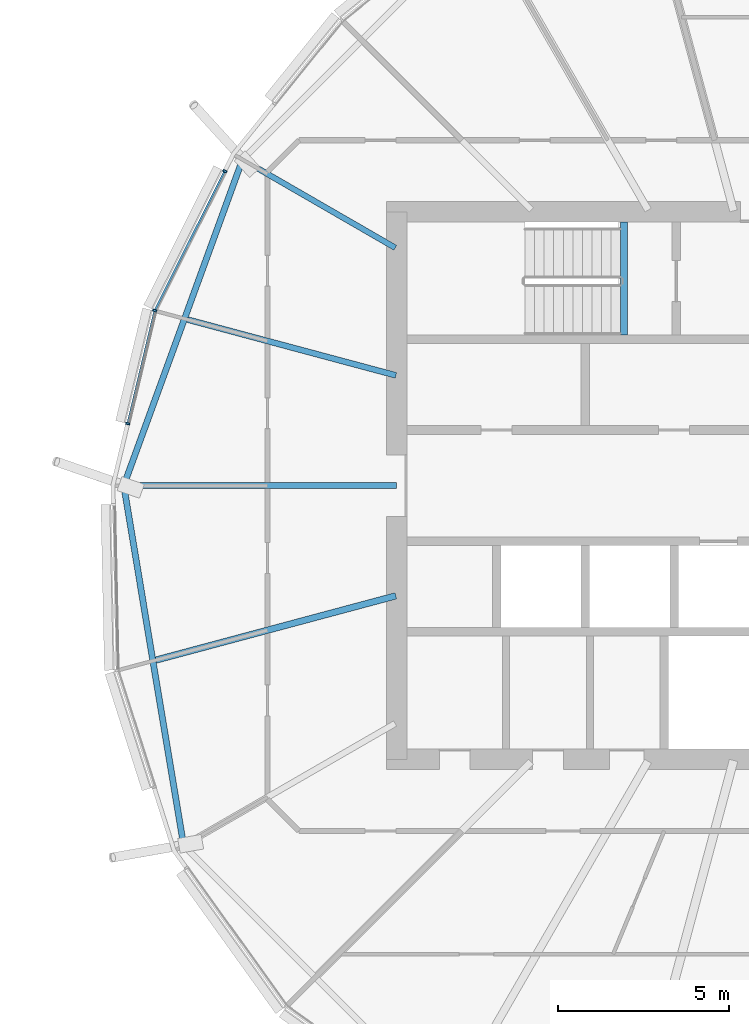
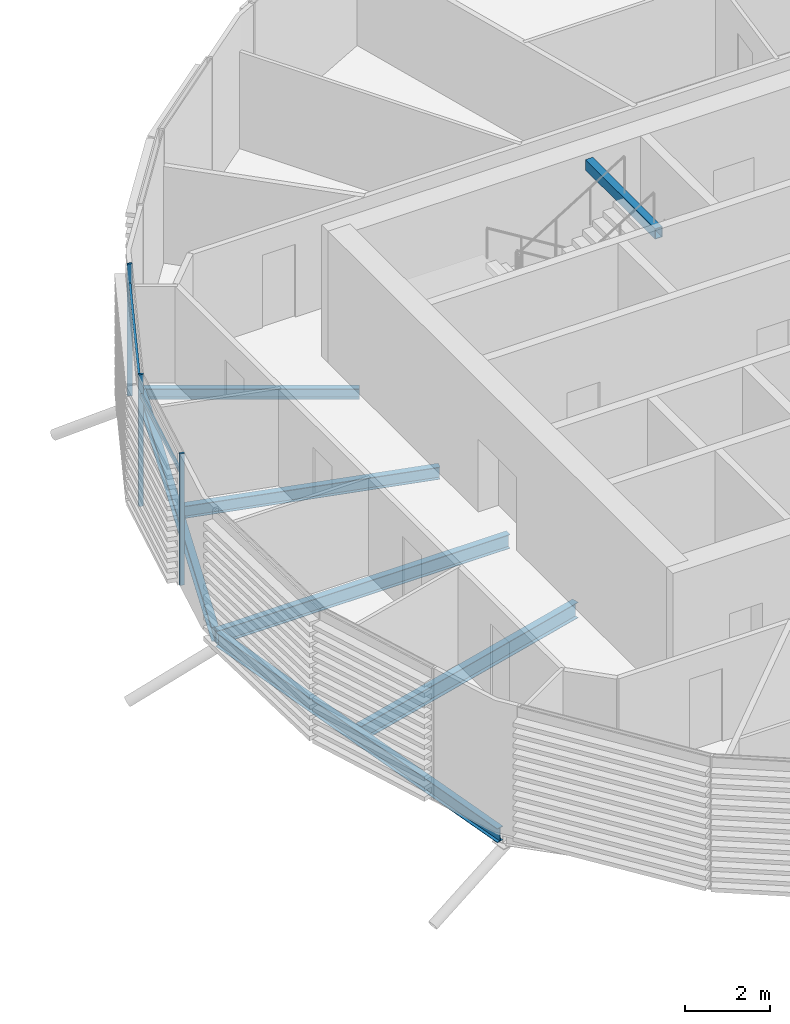
# One storey, part 13 of 35: 7 beams, 5 members, 1 element without a shape of its own.
"""IFC4 building model written with IfcOpenShell, lengths in metres."""

import ifcopenshell
import ifcopenshell.guid

model = None  # the IFC model being written
_history = None  # IfcOwnerHistory: only IFC2X3 demands one
_inside = {}  # id of a spatial element -> (the spatial element, [elements in it])
_under = {}  # id of a project, library or spatial element -> (it, [spatial elements below it])
_declared = {}  # id of a project -> (the project, [libraries it declares])
_typed = {}  # id of a type object -> (the type object, [elements of that type])
_made_of = {}  # id of a material, layer set ... -> (it, [elements and type objects made of it])


def new_model(schema):
    """Start an empty IFC model of exactly this schema.

    Asked for "IFC4X3", IfcOpenShell would pick the latest addendum, in which some entities
    have other attributes; the version numbers below select the first issue.
    IFC2X3 requires an IfcOwnerHistory on every rooted entity: one is made here for all.
    """
    global model, _history
    if schema == "IFC4X3":
        model = ifcopenshell.file(schema_version=(4, 3, 0, 0))
    else:
        model = ifcopenshell.file(schema=schema)
    _inside.clear()
    _under.clear()
    _declared.clear()
    _typed.clear()
    _made_of.clear()
    _history = None
    if model.schema == "IFC2X3":
        org = make("IfcOrganization", Name="unknown")
        user = make(
            "IfcPersonAndOrganization",
            ThePerson=make("IfcPerson", FamilyName="unknown"),
            TheOrganization=org,
        )
        app = make(
            "IfcApplication",
            ApplicationDeveloper=org,
            Version="unknown",
            ApplicationFullName="unknown",
            ApplicationIdentifier="unknown",
        )
        _history = make(
            "IfcOwnerHistory",
            OwningUser=user,
            OwningApplication=app,
            ChangeAction="ADDED",
            CreationDate=0,
        )
    return model


def make(cls, **values):
    """One entity of the class cls with the attributes given. An attribute that is None is left unset."""
    return model.create_entity(
        cls, **{name: value for name, value in values.items() if value is not None}
    )


def rooted(cls, **values):
    """An entity with a GlobalId (a new one), such as an element, a storey or a relation."""
    return make(cls, GlobalId=ifcopenshell.guid.new(), OwnerHistory=_history, **values)


def si_unit(unit_type, name, prefix=None):
    """IfcSIUnit, for example si_unit("LENGTHUNIT", "METRE", prefix="MILLI")."""
    return make("IfcSIUnit", UnitType=unit_type, Prefix=prefix, Name=name)


def assignment(units):
    """IfcUnitAssignment: the units of a project."""
    return None if units is None else make("IfcUnitAssignment", Units=units)


def point(xyz):
    """IfcCartesianPoint."""
    return None if xyz is None else make("IfcCartesianPoint", Coordinates=xyz)


def direction(xyz):
    """IfcDirection."""
    return None if xyz is None else make("IfcDirection", DirectionRatios=xyz)


def frame(location, z_axis=None, x_axis=None):
    """IfcAxis2Placement3D, a coordinate frame: its origin and axes. An axis left out is left unset."""
    return make(
        "IfcAxis2Placement3D",
        Location=point(location),
        Axis=direction(z_axis),
        RefDirection=direction(x_axis),
    )


def frame_2d(location, x_axis=None):
    """IfcAxis2Placement2D, a coordinate frame in the plane: its origin and x axis."""
    return make(
        "IfcAxis2Placement2D", Location=point(location), RefDirection=direction(x_axis)
    )


def origin():
    """The frame at (0, 0, 0) with its axes left unset."""
    return frame((0.0, 0.0, 0.0))


def origin_2d():
    """The frame at (0, 0) in the plane with its x axis left unset."""
    return frame_2d((0.0, 0.0))


def place(relative_to, where):
    """IfcLocalPlacement: puts the frame where relative to a parent placement (None: the world)."""
    return make(
        "IfcLocalPlacement", PlacementRelTo=relative_to, RelativePlacement=where
    )


def context(
    kind, dimensions, precision=None, world=None, true_north=None, identifier=None
):
    """IfcGeometricRepresentationContext, for example the 3D "Model" context."""
    return make(
        "IfcGeometricRepresentationContext",
        ContextIdentifier=identifier,
        ContextType=kind,
        CoordinateSpaceDimension=dimensions,
        Precision=precision,
        WorldCoordinateSystem=world,
        TrueNorth=true_north,
    )


def subcontext(parent, identifier, kind, view, scale=None):
    """IfcGeometricRepresentationSubContext, for example "Body" below "Model"."""
    return make(
        "IfcGeometricRepresentationSubContext",
        ContextIdentifier=identifier,
        ContextType=kind,
        ParentContext=parent,
        TargetScale=scale,
        TargetView=view,
    )


def project(units=None, contexts=None):
    """IfcProject with its units and contexts."""
    return rooted(
        "IfcProject",
        Name="project",
        RepresentationContexts=contexts,
        UnitsInContext=assignment(units),
    )


def spatial(cls, under=None, at=None, **own):
    """A site, building, storey or space (cls), placed at a placement, below another one or the project."""
    s = rooted(cls, ObjectPlacement=at, **own)
    if under is not None:
        _under.setdefault(under.id(), (under, []))[1].append(s)
    return s


def profile(cls, at=None, kind="AREA", **sizes):
    """A parametric profile (cls). Its sizes go by their IFC names, for example OverallWidth=200.0."""
    return make(cls, ProfileType=kind, Position=at, **sizes)


def rectangle(**sizes):
    """IfcRectangleProfileDef."""
    return profile("IfcRectangleProfileDef", **sizes)


def hollow_rectangle(**sizes):
    """IfcRectangleHollowProfileDef."""
    return profile("IfcRectangleHollowProfileDef", **sizes)


def i_section(**sizes):
    """IfcIShapeProfileDef."""
    return profile("IfcIShapeProfileDef", **sizes)


def extrude(swept, where, along, depth):
    """IfcExtrudedAreaSolid: the profile swept, set in the frame where, extruded along a direction by depth."""
    return make(
        "IfcExtrudedAreaSolid",
        SweptArea=swept,
        Position=where,
        ExtrudedDirection=direction(along),
        Depth=depth,
    )


def shape(context_of_items, identifier, shape_type, items):
    """IfcShapeRepresentation: the items that make up one representation, for example the "Body"."""
    return make(
        "IfcShapeRepresentation",
        ContextOfItems=context_of_items,
        RepresentationIdentifier=identifier,
        RepresentationType=shape_type,
        Items=items,
    )


def material(Name=None, Category=None):
    """IfcMaterial."""
    return make("IfcMaterial", Name=Name, Category=Category)


def material_profile(
    of_material, cross_section, Name=None, Category=None, Priority=None
):
    """IfcMaterialProfile: a cross section and its material."""
    return make(
        "IfcMaterialProfile",
        Name=Name,
        Material=of_material,
        Profile=cross_section,
        Priority=Priority,
        Category=Category,
    )


def profile_set(profiles, Name=None, composite=None):
    """IfcMaterialProfileSet."""
    return make(
        "IfcMaterialProfileSet",
        Name=Name,
        MaterialProfiles=profiles,
        CompositeProfile=composite,
    )


def made_of(thing, what):
    """Note that an element or type object is made of a material, layer set ...; save() writes the relation."""
    if what is not None:
        _made_of.setdefault(what.id(), (what, []))[1].append(thing)
    return thing


def type_object(cls, material=None, **own):
    """A type object (cls), such as IfcWallType, which elements share."""
    return made_of(rooted(cls, **own), material)


def element(
    cls,
    number,
    at=None,
    inside=None,
    cuts=None,
    type_object=None,
    material=None,
    context=None,
    identifier="Body",
    shape_type=None,
    held_by="IfcProductDefinitionShape",
    body=None,
    shapes=None,
    **own,
):
    """One element of the class cls, such as IfcWall. Its Tag is "e" and its number.

    at: its placement. inside: the storey or other place that contains it. cuts: it is an
    opening in that element (IfcRelVoidsElement). A single representation is given by context,
    identifier, shape_type and body (its items); several are given by shapes. held_by: the class
    of the entity that holds the representations. save() writes the other relations.
    """
    e = rooted(cls, Tag="e%d" % number, ObjectPlacement=at, **own)
    if body is not None:
        shapes = [shape(context, identifier, shape_type, body)]
    if shapes is not None:
        e.Representation = make(held_by, Representations=shapes)
    if inside is not None:
        _inside.setdefault(inside.id(), (inside, []))[1].append(e)
    if cuts is not None:
        rooted(
            "IfcRelVoidsElement", RelatingBuildingElement=cuts, RelatedOpeningElement=e
        )
    if type_object is not None:
        _typed.setdefault(type_object.id(), (type_object, []))[1].append(e)
    return made_of(e, material)


def aggregate(whole, parts):
    """IfcRelAggregates: a whole, such as a stair, and the parts it consists of."""
    return rooted("IfcRelAggregates", RelatingObject=whole, RelatedObjects=parts)


def save(model, path):
    """Write the relations noted so far, then the file.

    IfcRelAggregates (storeys below a building ...), IfcRelContainedInSpatialStructure (elements
    in a storey), IfcRelDefinesByType, IfcRelAssociatesMaterial and IfcRelDeclares: one each for
    every whole, place, type object, material and project.
    """
    for whole, parts in _under.values():
        aggregate(whole, parts)
    for where, things in _inside.values():
        rooted(
            "IfcRelContainedInSpatialStructure",
            RelatedElements=things,
            RelatingStructure=where,
        )
    for kind, things in _typed.values():
        rooted("IfcRelDefinesByType", RelatedObjects=things, RelatingType=kind)
    for what, things in _made_of.values():
        rooted("IfcRelAssociatesMaterial", RelatedObjects=things, RelatingMaterial=what)
    for by, libraries in _declared.values():
        rooted("IfcRelDeclares", RelatingContext=by, RelatedDefinitions=libraries)
    model.write(path)


model = new_model("IFC4")

# Units and contexts
model_context = context("Model", 3, precision=1e-05, world=origin(), true_north=direction((0.0, 1.0)))
body_context = subcontext(model_context, "Body", "Model", "MODEL_VIEW")
ifc_project = project(units=[si_unit("LENGTHUNIT", "METRE"), si_unit("AREAUNIT", "SQUARE_METRE"), si_unit("VOLUMEUNIT", "CUBIC_METRE"), si_unit("PLANEANGLEUNIT", "RADIAN"), si_unit("MASSUNIT", "GRAM", prefix="KILO")], contexts=[model_context])

# Site, building, storey
site_placement = place(None, origin())
site = spatial("IfcSite", under=ifc_project, at=site_placement, CompositionType="ELEMENT")
building_placement = place(site_placement, origin())
building = spatial("IfcBuilding", under=site, at=building_placement, Name="Rimbun Link Towers", CompositionType="ELEMENT")
storey_placement = place(building_placement, frame((0.0, 0.0, 196.89990234375)))
storey = spatial("IfcBuildingStorey", under=building, at=storey_placement, Name="L48", CompositionType="ELEMENT", Elevation=196.89990234375)

# Curtain wall, members
ifc_material_1 = material(Name="Aluminium 6063-T6 and low-iron glass", Category="aluminium")
curtain_wall_type = type_object("IfcCurtainWallType", Name="CW1-Z3 unitised vision wall (zone 3)", PredefinedType="NOTDEFINED", material=ifc_material_1)
curtain_wall_placement = place(storey_placement, origin())
curtain_wall = element("IfcCurtainWall", 1, at=curtain_wall_placement, inside=storey, type_object=curtain_wall_type, Name="CW1 L48 T2", PredefinedType="NOTDEFINED")
ifc_material_2 = material(Name="Aluminium 6063-T6", Category="aluminium")
ifc_material_profile_1 = material_profile(ifc_material_2, rectangle(XDim=0.1201171875, YDim=0.06005859375, at=origin_2d()), Name="MULLION 60X120")
ifc_profile_set_1 = profile_set([ifc_material_profile_1], Name="Aluminium 6063-T6")
member_type_1 = type_object("IfcMemberType", Name="CW1 mullion 60X120", PredefinedType="MULLION", material=ifc_profile_set_1)
member_1_placement = place(storey_placement, frame((12.67724609375, 5.115966796875, 0.0), z_axis=(0.0, 0.0, 1.0), x_axis=(-0.939345723979, 0.342971734757, 0.0)))
member_1 = element("IfcMember", 2, at=member_1_placement, type_object=member_type_1, Name="CW1 mullion", PredefinedType="MULLION", context=body_context, shape_type="SweptSolid", body=[
    extrude(rectangle(XDim=0.1201171875, YDim=0.06005859375, at=origin_2d()), origin(), (0.0, 0.0, 1.0), 3.800048828125),
])
member_2_placement = place(storey_placement, frame((14.723876953125, 9.192138671875, 0.0), z_axis=(0.0, 0.0, 1.0), x_axis=(-0.893646073156, 0.448772432233, 0.0)))
member_2 = element("IfcMember", 3, at=member_2_placement, type_object=member_type_1, Name="CW1 mullion", PredefinedType="MULLION", context=body_context, shape_type="SweptSolid", body=[
    extrude(rectangle(XDim=0.1201171875, YDim=0.06005859375, at=origin_2d()), origin(), (0.0, 0.0, 1.0), 3.800048828125),
])
member_3_placement = place(storey_placement, frame((11.886962890625, 1.813232421875, 0.0), z_axis=(0.0, 0.0, 1.0), x_axis=(-0.972568754126, 0.23261560244, 0.0)))
member_3 = element("IfcMember", 4, at=member_3_placement, type_object=member_type_1, Name="CW1 mullion", PredefinedType="MULLION", context=body_context, shape_type="SweptSolid", body=[
    extrude(rectangle(XDim=0.1201171875, YDim=0.06005859375, at=origin_2d()), origin(), (0.0, 0.0, 1.0), 3.800048828125),
])
ifc_material_3 = material(Name="Aluminium 6063-T6", Category="aluminium")
ifc_material_profile_2 = material_profile(ifc_material_3, rectangle(XDim=0.06005859375, YDim=0.1201171875, at=origin_2d()), Name="TRANSOM 60X120")
ifc_profile_set_2 = profile_set([ifc_material_profile_2], Name="Aluminium 6063-T6")
member_type_2 = type_object("IfcMemberType", Name="CW1 transom 60X120", PredefinedType="USERDEFINED", material=ifc_profile_set_2)
member_4_placement = place(storey_placement, frame((12.6953125, 5.148193359375, 3.2001953125), z_axis=(0.448777466573, 0.893643544986, 0.0), x_axis=(-0.893643544986, 0.448777466573, 0.0)))
member_4 = element("IfcMember", 5, at=member_4_placement, type_object=member_type_2, Name="CW1 transom", ObjectType="TRANSOM", PredefinedType="USERDEFINED", context=body_context, shape_type="SweptSolid", body=[
    extrude(rectangle(XDim=0.06005859375, YDim=0.1201171875, at=origin_2d()), origin(), (0.0, 0.0, 1.0), 4.494140625),
])
member_5_placement = place(storey_placement, frame((11.895751953125, 1.842041015625, 3.2001953125), z_axis=(0.232618453125, 0.972568072304, 0.0), x_axis=(-0.972568072304, 0.232618453125, 0.0)))
member_5 = element("IfcMember", 6, at=member_5_placement, type_object=member_type_2, Name="CW1 transom", ObjectType="TRANSOM", PredefinedType="USERDEFINED", context=body_context, shape_type="SweptSolid", body=[
    extrude(rectangle(XDim=0.06005859375, YDim=0.1201171875, at=origin_2d()), origin(), (0.0, 0.0, 1.0), 3.3291015625),
])
aggregate(curtain_wall, [member_1, member_2, member_3, member_4, member_5])

# Beams
ifc_material_4 = material(Name="Steel S355J2", Category="steel")
ifc_material_profile_3 = material_profile(ifc_material_4, hollow_rectangle(XDim=0.199951171875, YDim=0.300048828125, WallThickness=0.011962890625, at=origin_2d()), Name="BOX 300x200x12")
ifc_profile_set_3 = profile_set([ifc_material_profile_3], Name="Steel S355J2")
beam_type_1 = type_object("IfcBeamType", Name="Stair trimmer beam BOX 300x200x12", PredefinedType="BEAM", material=ifc_profile_set_3)
beam_1_placement = place(storey_placement, frame((26.39990234375, 7.699951171875, 3.5), z_axis=(0.0, -1.0, 0.0), x_axis=(1.0, 0.0, 0.0)))
element("IfcBeam", 7, at=beam_1_placement, inside=storey, type_object=beam_type_1, Name="L48 ST3 stair beam 1", PredefinedType="BEAM", context=body_context, shape_type="SweptSolid", body=[
    extrude(hollow_rectangle(XDim=0.199951171875, YDim=0.300048828125, WallThickness=0.011962890625, at=origin_2d()), origin(), (0.0, 0.0, 1.0), 3.300048828125),
])
ifc_material_5 = material(Name="Steel S355J2", Category="steel")
ifc_material_profile_4 = material_profile(ifc_material_5, i_section(OverallWidth=0.1650390625, OverallDepth=0.303466796875, WebThickness=0.006103515625, FlangeThickness=0.01025390625, at=origin_2d()), Name="UB 305x165x40")
ifc_profile_set_4 = profile_set([ifc_material_profile_4], Name="Steel S355J2")
beam_type_2 = type_object("IfcBeamType", Name="UB 305x165x40", PredefinedType="BEAM", material=ifc_profile_set_4)
beam_2_placement = place(storey_placement, frame((19.7080078125, 6.952392578125, -0.301513671875), z_axis=(-0.866025493452, 0.499999844691, 0.0), x_axis=(-0.499999844691, -0.866025493452, 0.0)))
element("IfcBeam", 8, at=beam_2_placement, inside=storey, type_object=beam_type_2, Name="Radial beam T2 L48 07", PredefinedType="BEAM", context=body_context, shape_type="SweptSolid", body=[
    extrude(i_section(OverallWidth=0.1650390625, OverallDepth=0.303466796875, WebThickness=0.006103515625, FlangeThickness=0.01025390625, at=origin_2d()), origin(), (0.0, 0.0, 1.0), 5.1552734375),
])
ifc_material_6 = material(Name="Steel S355J2", Category="steel")
ifc_material_profile_5 = material_profile(ifc_material_6, i_section(OverallWidth=0.17138671875, OverallDepth=0.35498046875, WebThickness=0.00732421875, FlangeThickness=0.011474609375, at=origin_2d()), Name="UB 356x171x51")
ifc_profile_set_5 = profile_set([ifc_material_profile_5], Name="Steel S355J2")
beam_type_3 = type_object("IfcBeamType", Name="UB 356x171x51", PredefinedType="BEAM", material=ifc_profile_set_5)
beam_3_placement = place(storey_placement, frame((19.726806640625, 3.2216796875, -0.327392578125), z_axis=(-0.965926449634, 0.258816718738, 0.0), x_axis=(-0.258816718738, -0.965926449634, 0.0)))
element("IfcBeam", 9, at=beam_3_placement, inside=storey, type_object=beam_type_3, Name="Radial beam T2 L48 08", PredefinedType="BEAM", context=body_context, shape_type="SweptSolid", body=[
    extrude(i_section(OverallWidth=0.17138671875, OverallDepth=0.35498046875, WebThickness=0.00732421875, FlangeThickness=0.011474609375, at=origin_2d()), origin(), (0.0, 0.0, 1.0), 6.305908203125),
])
ifc_material_7 = material(Name="Steel S355J2", Category="steel")
ifc_material_profile_6 = material_profile(ifc_material_7, i_section(OverallWidth=0.177978515625, OverallDepth=0.406494140625, WebThickness=0.0078125, FlangeThickness=0.0126953125, at=origin_2d()), Name="UB 406x178x60")
ifc_profile_set_6 = profile_set([ifc_material_profile_6], Name="Steel S355J2")
beam_type_4 = type_object("IfcBeamType", Name="UB 406x178x60", PredefinedType="BEAM", material=ifc_profile_set_6)
beam_4_placement = place(storey_placement, frame((19.7490234375, 0.0, -0.35302734375), z_axis=(-1.0, 0.0, 0.0), x_axis=(0.0, -1.0, 0.0)))
element("IfcBeam", 10, at=beam_4_placement, inside=storey, type_object=beam_type_4, Name="Radial beam T2 L48 09", PredefinedType="BEAM", context=body_context, shape_type="SweptSolid", body=[
    extrude(i_section(OverallWidth=0.177978515625, OverallDepth=0.406494140625, WebThickness=0.0078125, FlangeThickness=0.0126953125, at=origin_2d()), origin(), (0.0, 0.0, 1.0), 7.97705078125),
])
beam_5_placement = place(storey_placement, frame((15.21435546875, 9.450439453125, -0.35302734375), z_axis=(-0.342258543718, -0.939605815889, 0.0), x_axis=(0.939605815889, -0.342258543718, 0.0)))
element("IfcBeam", 11, at=beam_5_placement, inside=storey, type_object=beam_type_4, Name="Edge beam T2 L48 07-09", PredefinedType="BEAM", context=body_context, shape_type="SweptSolid", body=[
    extrude(i_section(OverallWidth=0.177978515625, OverallDepth=0.406494140625, WebThickness=0.0078125, FlangeThickness=0.0126953125, at=origin_2d()), origin(), (0.0, 0.0, 1.0), 9.962158203125),
])
beam_6_placement = place(storey_placement, frame((11.786865234375, -0.08984375, -0.35302734375), z_axis=(0.16412701203, -0.98643921451, 0.0), x_axis=(0.98643921451, 0.16412701203, 0.0)))
element("IfcBeam", 12, at=beam_6_placement, inside=storey, type_object=beam_type_4, Name="Edge beam T2 L48 09-11", PredefinedType="BEAM", context=body_context, shape_type="SweptSolid", body=[
    extrude(i_section(OverallWidth=0.177978515625, OverallDepth=0.406494140625, WebThickness=0.0078125, FlangeThickness=0.0126953125, at=origin_2d()), origin(), (0.0, 0.0, 1.0), 10.48095703125),
])
ifc_material_8 = material(Name="Steel S355J2", Category="steel")
ifc_material_profile_7 = material_profile(ifc_material_8, i_section(OverallWidth=0.18994140625, OverallDepth=0.453369140625, WebThickness=0.008544921875, FlangeThickness=0.0126953125, at=origin_2d()), Name="UB 457x191x67")
ifc_profile_set_7 = profile_set([ifc_material_profile_7], Name="Steel S355J2")
beam_type_5 = type_object("IfcBeamType", Name="UB 457x191x67", PredefinedType="BEAM", material=ifc_profile_set_7)
beam_7_placement = place(storey_placement, frame((19.724609375, -3.22216796875, -0.376708984375), z_axis=(-0.965922233104, -0.258832454679, 0.0), x_axis=(0.258832454679, -0.965922233104, 0.0)))
element("IfcBeam", 13, at=beam_7_placement, inside=storey, type_object=beam_type_5, Name="Radial beam T2 L48 10", PredefinedType="BEAM", context=body_context, shape_type="SweptSolid", body=[
    extrude(i_section(OverallWidth=0.18994140625, OverallDepth=0.453369140625, WebThickness=0.008544921875, FlangeThickness=0.0126953125, at=origin_2d()), origin(), (0.0, 0.0, 1.0), 7.260009765625),
])

save(model, "model.ifc")
